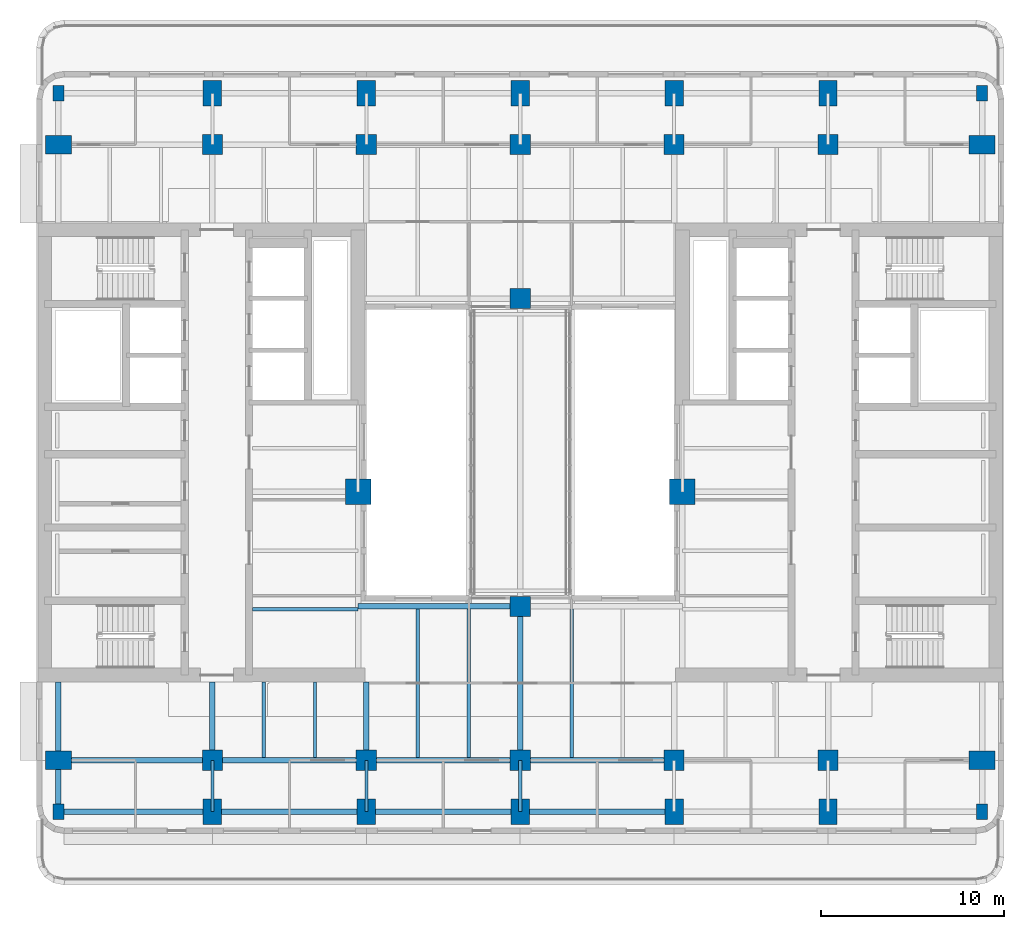
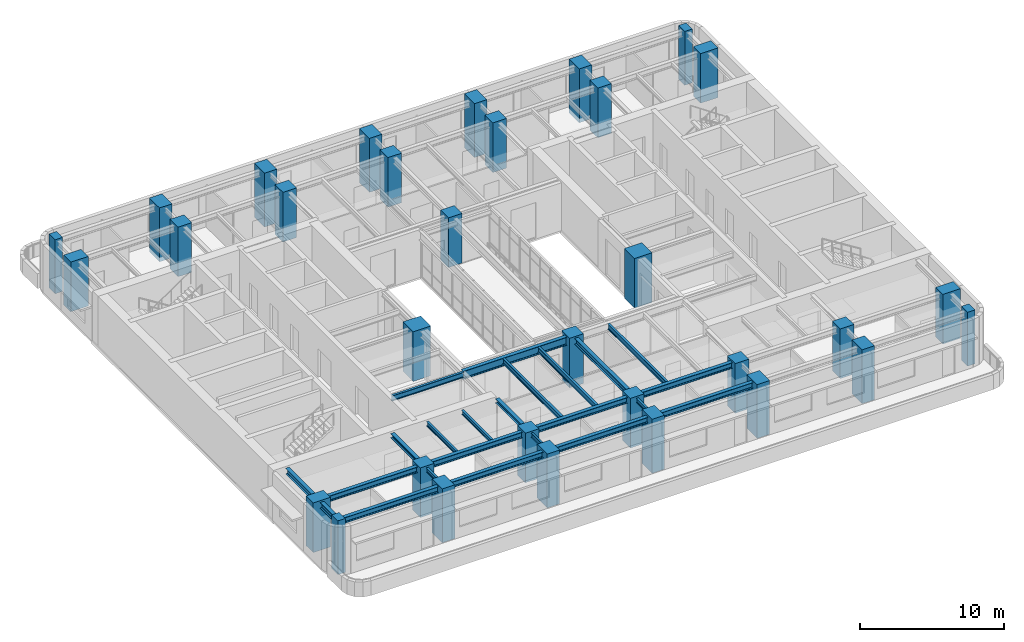
# One storey, part 1 of 15: 32 columns, 23 beams.
"""IFC4 building model written with IfcOpenShell, lengths in metres."""

from ifc_helpers import new_model, si_unit, direction, frame, origin, origin_2d, place, context, subcontext, project, spatial, rectangle, i_section, extrude, material, material_profile, profile_set, type_object, element, save


model = new_model("IFC4")

# Units and contexts
model_context = context("Model", 3, precision=1e-05, world=origin(), true_north=direction((0.0, 1.0)))
body_context = subcontext(model_context, "Body", "Model", "MODEL_VIEW")
ifc_project = project(units=[si_unit("LENGTHUNIT", "METRE"), si_unit("AREAUNIT", "SQUARE_METRE"), si_unit("VOLUMEUNIT", "CUBIC_METRE"), si_unit("PLANEANGLEUNIT", "RADIAN"), si_unit("MASSUNIT", "GRAM", prefix="KILO")], contexts=[model_context])

# Site, building, storey
site_placement = place(None, origin())
site = spatial("IfcSite", under=ifc_project, at=site_placement, CompositionType="ELEMENT")
building_placement = place(site_placement, origin())
building = spatial("IfcBuilding", under=site, at=building_placement, Name="Claustro Exchange Tower", CompositionType="ELEMENT")
storey_placement = place(building_placement, frame((0.0, 0.0, 173.39990234375)))
storey = spatial("IfcBuildingStorey", under=building, at=storey_placement, Name="L39", CompositionType="ELEMENT", Elevation=173.39990234375)

# Columns
ifc_material_1 = material(Name="Concrete HA-70 (C70/85)", Category="concrete")
ifc_material_profile_1 = material_profile(ifc_material_1, rectangle(XDim=1.39990234375, YDim=1.39990234375, at=origin_2d()), Name="RC 1400x1400")
ifc_profile_set_1 = profile_set([ifc_material_profile_1], Name="Concrete HA-70 (C70/85)")
column_type_1 = type_object("IfcColumnType", Name="C0 RC 1400x1400 HA-70 column", PredefinedType="COLUMN", material=ifc_profile_set_1)
for number, where, z_axis, x_axis, name in (
    (1, (16.35009765625, 23.050048828125, 0.0), (0.0, 0.0, 1.0), (1.0, 0.0, 0.0), "Column C0 2+7950/C+6250 L39"),
    (2, (34.050048828125, 23.050048828125, 0.0), (0.0, 0.0, 1.0), (1.0, 0.0, 0.0), "Column C0 5+450/C+6250 L39"),
):
    element("IfcColumn", number, at=place(storey_placement, frame(where, z_axis=z_axis, x_axis=x_axis)), inside=storey, type_object=column_type_1, Name=name, PredefinedType="COLUMN", context=body_context, shape_type="SweptSolid", body=[
        extrude(rectangle(XDim=1.39990234375, YDim=1.39990234375, at=origin_2d()), origin(), (0.0, 0.0, 1.0), 4.2001953125),
    ])
ifc_material_2 = material(Name="Concrete HA-70 (C70/85)", Category="concrete")
ifc_material_profile_2 = material_profile(ifc_material_2, rectangle(XDim=1.10009765625, YDim=1.10009765625, at=origin_2d()), Name="RC 1100x1100")
ifc_profile_set_2 = profile_set([ifc_material_profile_2], Name="Concrete HA-70 (C70/85)")
column_type_2 = type_object("IfcColumnType", Name="C17 RC 1100x1100 HA-70 column", PredefinedType="COLUMN", material=ifc_profile_set_2)
for number, where, z_axis, x_axis, name in (
    (3, (8.39990234375, 8.39990234375, 0.0), (0.0, 0.0, 1.0), (1.0, 0.0, 0.0), "Column C17 2/B L39"),
    (4, (8.39990234375, 42.0, 0.0), (0.0, 0.0, 1.0), (1.0, 0.0, 0.0), "Column C17 2/F L39"),
    (5, (16.800048828125, 8.39990234375, 0.0), (0.0, 0.0, 1.0), (1.0, 0.0, 0.0), "Column C17 3/B L39"),
    (6, (16.800048828125, 42.0, 0.0), (0.0, 0.0, 1.0), (1.0, 0.0, 0.0), "Column C17 3/F L39"),
    (7, (25.199951171875, 8.39990234375, 0.0), (0.0, 0.0, 1.0), (1.0, 0.0, 0.0), "Column C17 4/B L39"),
    (8, (25.199951171875, 42.0, 0.0), (0.0, 0.0, 1.0), (1.0, 0.0, 0.0), "Column C17 4/F L39"),
    (9, (25.199951171875, 16.800048828125, 0.0), (0.0, 0.0, 1.0), (1.0, 0.0, 0.0), "Column C17 4/C L39"),
    (10, (25.199951171875, 33.60009765625, 0.0), (0.0, 0.0, 1.0), (1.0, 0.0, 0.0), "Column C17 4/E L39"),
    (11, (33.60009765625, 8.39990234375, 0.0), (0.0, 0.0, 1.0), (1.0, 0.0, 0.0), "Column C17 5/B L39"),
    (12, (33.60009765625, 42.0, 0.0), (0.0, 0.0, 1.0), (1.0, 0.0, 0.0), "Column C17 5/F L39"),
    (13, (42.0, 8.39990234375, 0.0), (0.0, 0.0, 1.0), (1.0, 0.0, 0.0), "Column C17 6/B L39"),
    (14, (42.0, 42.0, 0.0), (0.0, 0.0, 1.0), (1.0, 0.0, 0.0), "Column C17 6/F L39"),
):
    element("IfcColumn", number, at=place(storey_placement, frame(where, z_axis=z_axis, x_axis=x_axis)), inside=storey, type_object=column_type_2, Name=name, PredefinedType="COLUMN", context=body_context, shape_type="SweptSolid", body=[
        extrude(rectangle(XDim=1.10009765625, YDim=1.10009765625, at=origin_2d()), origin(), (0.0, 0.0, 1.0), 4.2001953125),
    ])
ifc_material_3 = material(Name="Concrete HA-70 (C70/85)", Category="concrete")
ifc_material_profile_3 = material_profile(ifc_material_3, rectangle(XDim=1.0, YDim=1.39990234375, at=origin_2d()), Name="RC 1000x1400")
ifc_profile_set_3 = profile_set([ifc_material_profile_3], Name="Concrete HA-70 (C70/85)")
column_type_3 = type_object("IfcColumnType", Name="C22 RC 1000x1400 HA-70 perimeter column", PredefinedType="COLUMN", material=ifc_profile_set_3)
for number, where, z_axis, x_axis, name in (
    (15, (0.0, 8.39990234375, 0.0), (0.0, 0.0, 1.0), (0.0, 1.0, 0.0), "Column C22 1/B L39"),
    (16, (0.0, 42.0, 0.0), (0.0, 0.0, 1.0), (0.0, 1.0, 0.0), "Column C22 1/F L39"),
):
    element("IfcColumn", number, at=place(storey_placement, frame(where, z_axis=z_axis, x_axis=x_axis)), inside=storey, type_object=column_type_3, Name=name, PredefinedType="COLUMN", context=body_context, shape_type="SweptSolid", body=[
        extrude(rectangle(XDim=1.0, YDim=1.39990234375, at=origin_2d()), origin(), (0.0, 0.0, 1.0), 4.2001953125),
    ])
for number, where, z_axis, x_axis, name in (
    (17, (8.39990234375, 5.60009765625, -0.35986328125), (0.0, 0.0, 1.0), (1.0, 0.0, 0.0), "Column C22 2/A+5600 L39"),
    (18, (8.39990234375, 44.800048828125, -0.35986328125), (0.0, 0.0, 1.0), (1.0, 0.0, 0.0), "Column C22 2/F+2800 L39"),
    (19, (16.800048828125, 5.60009765625, -0.35986328125), (0.0, 0.0, 1.0), (1.0, 0.0, 0.0), "Column C22 3/A+5600 L39"),
    (20, (16.800048828125, 44.800048828125, -0.35986328125), (0.0, 0.0, 1.0), (1.0, 0.0, 0.0), "Column C22 3/F+2800 L39"),
    (21, (25.199951171875, 5.60009765625, -0.35986328125), (0.0, 0.0, 1.0), (1.0, 0.0, 0.0), "Column C22 4/A+5600 L39"),
    (22, (25.199951171875, 44.800048828125, -0.35986328125), (0.0, 0.0, 1.0), (1.0, 0.0, 0.0), "Column C22 4/F+2800 L39"),
    (23, (33.60009765625, 5.60009765625, -0.35986328125), (0.0, 0.0, 1.0), (1.0, 0.0, 0.0), "Column C22 5/A+5600 L39"),
    (24, (33.60009765625, 44.800048828125, -0.35986328125), (0.0, 0.0, 1.0), (1.0, 0.0, 0.0), "Column C22 5/F+2800 L39"),
    (25, (42.0, 5.60009765625, -0.35986328125), (0.0, 0.0, 1.0), (1.0, 0.0, 0.0), "Column C22 6/A+5600 L39"),
    (26, (42.0, 44.800048828125, -0.35986328125), (0.0, 0.0, 1.0), (1.0, 0.0, 0.0), "Column C22 6/F+2800 L39"),
):
    element("IfcColumn", number, at=place(storey_placement, frame(where, z_axis=z_axis, x_axis=x_axis)), inside=storey, type_object=column_type_3, Name=name, PredefinedType="COLUMN", context=body_context, shape_type="SweptSolid", body=[
        extrude(rectangle(XDim=1.0, YDim=1.39990234375, at=origin_2d()), origin(), (0.0, 0.0, 1.0), 4.56005859375),
    ])
for number, where, z_axis, x_axis, name in (
    (27, (50.39990234375, 8.39990234375, 0.0), (0.0, 0.0, 1.0), (0.0, 1.0, 0.0), "Column C22 7/B L39"),
    (28, (50.39990234375, 42.0, 0.0), (0.0, 0.0, 1.0), (0.0, 1.0, 0.0), "Column C22 7/F L39"),
):
    element("IfcColumn", number, at=place(storey_placement, frame(where, z_axis=z_axis, x_axis=x_axis)), inside=storey, type_object=column_type_3, Name=name, PredefinedType="COLUMN", context=body_context, shape_type="SweptSolid", body=[
        extrude(rectangle(XDim=1.0, YDim=1.39990234375, at=origin_2d()), origin(), (0.0, 0.0, 1.0), 4.2001953125),
    ])
ifc_material_4 = material(Name="Concrete HA-50 (C50/60)", Category="concrete")
ifc_material_profile_4 = material_profile(ifc_material_4, rectangle(XDim=0.60009765625, YDim=0.85009765625, at=origin_2d()), Name="RC 600x850")
ifc_profile_set_4 = profile_set([ifc_material_profile_4], Name="Concrete HA-50 (C50/60)")
column_type_4 = type_object("IfcColumnType", Name="C25 RC 600x850 HA-50 corner column", PredefinedType="COLUMN", material=ifc_profile_set_4)
for number, where, z_axis, x_axis, name in (
    (29, (0.0, 5.60009765625, -0.35986328125), (0.0, 0.0, 1.0), (1.0, 0.0, 0.0), "Column C25 1/A+5600 L39"),
    (30, (0.0, 44.800048828125, -0.35986328125), (0.0, 0.0, 1.0), (1.0, 0.0, 0.0), "Column C25 1/F+2800 L39"),
    (31, (50.39990234375, 5.60009765625, -0.35986328125), (0.0, 0.0, 1.0), (1.0, 0.0, 0.0), "Column C25 7/A+5600 L39"),
    (32, (50.39990234375, 44.800048828125, -0.35986328125), (0.0, 0.0, 1.0), (1.0, 0.0, 0.0), "Column C25 7/F+2800 L39"),
):
    element("IfcColumn", number, at=place(storey_placement, frame(where, z_axis=z_axis, x_axis=x_axis)), inside=storey, type_object=column_type_4, Name=name, PredefinedType="COLUMN", context=body_context, shape_type="SweptSolid", body=[
        extrude(rectangle(XDim=0.60009765625, YDim=0.85009765625, at=origin_2d()), origin(), (0.0, 0.0, 1.0), 4.56005859375),
    ])

# Beams
ifc_material_5 = material(Name="Steel S355", Category="steel")
ifc_material_profile_5 = material_profile(ifc_material_5, i_section(OverallWidth=0.300048828125, OverallDepth=0.68994140625, WebThickness=0.014404296875, FlangeThickness=0.027099609375, FilletRadius=0.027099609375, at=origin_2d()), Name="HE 700 A")
ifc_profile_set_5 = profile_set([ifc_material_profile_5], Name="Steel S355")
beam_type_1 = type_object("IfcBeamType", Name="B13 HE 700 A light well edge girder", PredefinedType="BEAM", material=ifc_profile_set_5)
beam_1_placement = place(storey_placement, frame((16.35009765625, 16.800048828125, 3.705078125), z_axis=(1.0, 0.0, 0.0), x_axis=(0.0, 1.0, 0.0)))
element("IfcBeam", 33, at=beam_1_placement, inside=storey, type_object=beam_type_1, Name="Beam B13 L40", PredefinedType="BEAM", context=body_context, shape_type="SweptSolid", body=[
    extrude(i_section(OverallWidth=0.300048828125, OverallDepth=0.68994140625, WebThickness=0.014404296875, FlangeThickness=0.027099609375, FilletRadius=0.027099609375, at=origin_2d()), origin(), (0.0, 0.0, 1.0), 8.849853515625),
])
ifc_material_6 = material(Name="Steel S355", Category="steel")
ifc_material_profile_6 = material_profile(ifc_material_6, i_section(OverallWidth=0.169921875, OverallDepth=0.360107421875, WebThickness=0.008056640625, FlangeThickness=0.0126953125, FilletRadius=0.01806640625, at=origin_2d()), Name="IPE 360")
ifc_profile_set_6 = profile_set([ifc_material_profile_6], Name="Steel S355")
beam_type_2 = type_object("IfcBeamType", Name="B16 IPE 360 short-span beam", PredefinedType="BEAM", material=ifc_profile_set_6)
for number, where, z_axis, x_axis, name in (
    (34, (8.39990234375, 5.60009765625, 3.8701171875), (0.0, 1.0, 0.0), (-1.0, 0.0, 0.0), "Beam B16 L40"),
    (35, (16.800048828125, 5.60009765625, 3.8701171875), (0.0, 1.0, 0.0), (-1.0, 0.0, 0.0), "Beam B16 L40"),
    (36, (25.199951171875, 5.60009765625, 3.8701171875), (0.0, 1.0, 0.0), (-1.0, 0.0, 0.0), "Beam B16 L40"),
):
    element("IfcBeam", number, at=place(storey_placement, frame(where, z_axis=z_axis, x_axis=x_axis)), inside=storey, type_object=beam_type_2, Name=name, PredefinedType="BEAM", context=body_context, shape_type="SweptSolid", body=[
        extrude(i_section(OverallWidth=0.169921875, OverallDepth=0.360107421875, WebThickness=0.008056640625, FlangeThickness=0.0126953125, FilletRadius=0.01806640625, at=origin_2d()), origin(), (0.0, 0.0, 1.0), 2.7998046875),
    ])
for number, where, z_axis, x_axis, name in (
    (37, (11.199951171875, 8.550048828125, 3.8701171875), (0.0, 1.0, 0.0), (-1.0, 0.0, 0.0), "Beam B16 L40"),
    (38, (14.0, 8.550048828125, 3.8701171875), (0.0, 1.0, 0.0), (-1.0, 0.0, 0.0), "Beam B16 L40"),
):
    element("IfcBeam", number, at=place(storey_placement, frame(where, z_axis=z_axis, x_axis=x_axis)), inside=storey, type_object=beam_type_2, Name=name, PredefinedType="BEAM", context=body_context, shape_type="SweptSolid", body=[
        extrude(i_section(OverallWidth=0.169921875, OverallDepth=0.360107421875, WebThickness=0.008056640625, FlangeThickness=0.0126953125, FilletRadius=0.01806640625, at=origin_2d()), origin(), (0.0, 0.0, 1.0), 4.125),
    ])
ifc_material_7 = material(Name="Steel S355", Category="steel")
ifc_material_profile_7 = material_profile(ifc_material_7, i_section(OverallWidth=0.300048828125, OverallDepth=0.360107421875, WebThickness=0.012451171875, FlangeThickness=0.0224609375, FilletRadius=0.027099609375, at=origin_2d()), Name="HE 360 B")
ifc_profile_set_7 = profile_set([ifc_material_profile_7], Name="Steel S355")
beam_type_3 = type_object("IfcBeamType", Name="B29 HE 360 B column to core link beam", PredefinedType="BEAM", material=ifc_profile_set_7)
for number, where, z_axis, x_axis, name in (
    (39, (8.39990234375, 8.39990234375, 3.8701171875), (0.0, 1.0, 0.0), (-1.0, 0.0, 0.0), "Beam B29 L40"),
    (40, (16.800048828125, 8.39990234375, 3.8701171875), (0.0, 1.0, 0.0), (-1.0, 0.0, 0.0), "Beam B29 L40"),
):
    element("IfcBeam", number, at=place(storey_placement, frame(where, z_axis=z_axis, x_axis=x_axis)), inside=storey, type_object=beam_type_3, Name=name, PredefinedType="BEAM", context=body_context, shape_type="SweptSolid", body=[
        extrude(i_section(OverallWidth=0.300048828125, OverallDepth=0.360107421875, WebThickness=0.012451171875, FlangeThickness=0.0224609375, FilletRadius=0.027099609375, at=origin_2d()), origin(), (0.0, 0.0, 1.0), 4.275146484375),
    ])
ifc_material_8 = material(Name="Steel S355", Category="steel")
ifc_material_profile_8 = material_profile(ifc_material_8, i_section(OverallWidth=0.300048828125, OverallDepth=0.5, WebThickness=0.014404296875, FlangeThickness=0.028076171875, FilletRadius=0.027099609375, at=origin_2d()), Name="HE 500 B")
ifc_profile_set_8 = profile_set([ifc_material_profile_8], Name="Steel S355")
beam_type_4 = type_object("IfcBeamType", Name="B7 HE 500 B floor girder", PredefinedType="BEAM", material=ifc_profile_set_8)
beam_2_placement = place(storey_placement, frame((25.199951171875, 8.39990234375, 3.800048828125), z_axis=(0.0, 1.0, 0.0), x_axis=(-1.0, 0.0, 0.0)))
element("IfcBeam", 41, at=beam_2_placement, inside=storey, type_object=beam_type_4, Name="Beam B7 L40", PredefinedType="BEAM", context=body_context, shape_type="SweptSolid", body=[
    extrude(i_section(OverallWidth=0.300048828125, OverallDepth=0.5, WebThickness=0.014404296875, FlangeThickness=0.028076171875, FilletRadius=0.027099609375, at=origin_2d()), origin(), (0.0, 0.0, 1.0), 8.400146484375),
])
beam_3_placement = place(storey_placement, frame((0.0, 8.39990234375, 3.800048828125), z_axis=(1.0, 0.0, 0.0), x_axis=(0.0, 1.0, 0.0)))
element("IfcBeam", 42, at=beam_3_placement, inside=storey, type_object=beam_type_4, Name="Beam B7 L40", PredefinedType="BEAM", context=body_context, shape_type="SweptSolid", body=[
    extrude(i_section(OverallWidth=0.300048828125, OverallDepth=0.5, WebThickness=0.014404296875, FlangeThickness=0.028076171875, FilletRadius=0.027099609375, at=origin_2d()), origin(), (0.0, 0.0, 1.0), 8.39990234375),
])
beam_4_placement = place(storey_placement, frame((8.39990234375, 8.39990234375, 3.800048828125), z_axis=(1.0, 0.0, 0.0), x_axis=(0.0, 1.0, 0.0)))
element("IfcBeam", 43, at=beam_4_placement, inside=storey, type_object=beam_type_4, Name="Beam B7 L40", PredefinedType="BEAM", context=body_context, shape_type="SweptSolid", body=[
    extrude(i_section(OverallWidth=0.300048828125, OverallDepth=0.5, WebThickness=0.014404296875, FlangeThickness=0.028076171875, FilletRadius=0.027099609375, at=origin_2d()), origin(), (0.0, 0.0, 1.0), 8.400146484375),
])
beam_5_placement = place(storey_placement, frame((16.800048828125, 8.39990234375, 3.800048828125), z_axis=(1.0, 0.0, 0.0), x_axis=(0.0, 1.0, 0.0)))
element("IfcBeam", 44, at=beam_5_placement, inside=storey, type_object=beam_type_4, Name="Beam B7 L40", PredefinedType="BEAM", context=body_context, shape_type="SweptSolid", body=[
    extrude(i_section(OverallWidth=0.300048828125, OverallDepth=0.5, WebThickness=0.014404296875, FlangeThickness=0.028076171875, FilletRadius=0.027099609375, at=origin_2d()), origin(), (0.0, 0.0, 1.0), 8.39990234375),
])
beam_6_placement = place(storey_placement, frame((25.199951171875, 8.39990234375, 3.800048828125), z_axis=(1.0, 0.0, 0.0), x_axis=(0.0, 1.0, 0.0)))
element("IfcBeam", 45, at=beam_6_placement, inside=storey, type_object=beam_type_4, Name="Beam B7 L40", PredefinedType="BEAM", context=body_context, shape_type="SweptSolid", body=[
    extrude(i_section(OverallWidth=0.300048828125, OverallDepth=0.5, WebThickness=0.014404296875, FlangeThickness=0.028076171875, FilletRadius=0.027099609375, at=origin_2d()), origin(), (0.0, 0.0, 1.0), 8.400146484375),
])
ifc_material_9 = material(Name="Steel S355", Category="steel")
ifc_material_profile_9 = material_profile(ifc_material_9, i_section(OverallWidth=0.18994140625, OverallDepth=0.449951171875, WebThickness=0.009521484375, FlangeThickness=0.0146484375, FilletRadius=0.02099609375, at=origin_2d()), Name="IPE 450")
ifc_profile_set_9 = profile_set([ifc_material_profile_9], Name="Steel S355")
beam_type_5 = type_object("IfcBeamType", Name="B8 IPE 450 secondary beam", PredefinedType="BEAM", material=ifc_profile_set_9)
for number, where, z_axis, x_axis, name in (
    (46, (19.60009765625, 8.550048828125, 3.8251953125), (0.0, 1.0, 0.0), (-1.0, 0.0, 0.0), "Beam B8 L40"),
    (47, (22.39990234375, 8.550048828125, 3.8251953125), (0.0, 1.0, 0.0), (-1.0, 0.0, 0.0), "Beam B8 L40"),
    (48, (28.0, 8.550048828125, 3.8251953125), (0.0, 1.0, 0.0), (-1.0, 0.0, 0.0), "Beam B8 L40"),
):
    element("IfcBeam", number, at=place(storey_placement, frame(where, z_axis=z_axis, x_axis=x_axis)), inside=storey, type_object=beam_type_5, Name=name, PredefinedType="BEAM", context=body_context, shape_type="SweptSolid", body=[
        extrude(i_section(OverallWidth=0.18994140625, OverallDepth=0.449951171875, WebThickness=0.009521484375, FlangeThickness=0.0146484375, FilletRadius=0.02099609375, at=origin_2d()), origin(), (0.0, 0.0, 1.0), 8.099853515625),
    ])
beam_7_placement = place(storey_placement, frame((10.60009765625, 16.63330078125, 3.8251953125), z_axis=(1.0, 0.0, 0.0), x_axis=(0.0, 1.0, 0.0)))
element("IfcBeam", 49, at=beam_7_placement, inside=storey, type_object=beam_type_5, Name="Beam B8 core step framing L40", PredefinedType="BEAM", context=body_context, shape_type="SweptSolid", body=[
    extrude(i_section(OverallWidth=0.18994140625, OverallDepth=0.449951171875, WebThickness=0.009521484375, FlangeThickness=0.0146484375, FilletRadius=0.02099609375, at=origin_2d()), origin(), (0.0, 0.0, 1.0), 5.75),
])
ifc_material_10 = material(Name="Steel S355", Category="steel")
ifc_material_profile_10 = material_profile(ifc_material_10, i_section(OverallWidth=0.300048828125, OverallDepth=0.489990234375, WebThickness=0.011962890625, FlangeThickness=0.02294921875, FilletRadius=0.027099609375, at=origin_2d()), Name="HE 500 A")
ifc_profile_set_10 = profile_set([ifc_material_profile_10], Name="Steel S355")
beam_type_6 = type_object("IfcBeamType", Name="B9 HE 500 A spandrel edge girder", PredefinedType="SPANDREL", material=ifc_profile_set_10)
beam_8_placement = place(storey_placement, frame((0.0, 5.60009765625, 3.80517578125), z_axis=(0.0, 1.0, 0.0), x_axis=(-1.0, 0.0, 0.0)))
element("IfcBeam", 50, at=beam_8_placement, inside=storey, type_object=beam_type_6, Name="Beam B9 L40", PredefinedType="SPANDREL", context=body_context, shape_type="SweptSolid", body=[
    extrude(i_section(OverallWidth=0.300048828125, OverallDepth=0.489990234375, WebThickness=0.011962890625, FlangeThickness=0.02294921875, FilletRadius=0.027099609375, at=origin_2d()), origin(), (0.0, 0.0, 1.0), 2.7998046875),
])
beam_9_placement = place(storey_placement, frame((0.0, 8.39990234375, 3.80517578125), z_axis=(0.0, 1.0, 0.0), x_axis=(-1.0, 0.0, 0.0)))
element("IfcBeam", 51, at=beam_9_placement, inside=storey, type_object=beam_type_6, Name="Beam B9 L40", PredefinedType="SPANDREL", context=body_context, shape_type="SweptSolid", body=[
    extrude(i_section(OverallWidth=0.300048828125, OverallDepth=0.489990234375, WebThickness=0.011962890625, FlangeThickness=0.02294921875, FilletRadius=0.027099609375, at=origin_2d()), origin(), (0.0, 0.0, 1.0), 4.275146484375),
])
beam_10_placement = place(storey_placement, frame((0.0, 5.60009765625, 3.80517578125), z_axis=(1.0, 0.0, 0.0), x_axis=(0.0, 1.0, 0.0)))
element("IfcBeam", 52, at=beam_10_placement, inside=storey, type_object=beam_type_6, Name="Beam B9 L40", PredefinedType="SPANDREL", context=body_context, shape_type="SweptSolid", body=[
    extrude(i_section(OverallWidth=0.300048828125, OverallDepth=0.489990234375, WebThickness=0.011962890625, FlangeThickness=0.02294921875, FilletRadius=0.027099609375, at=origin_2d()), origin(), (0.0, 0.0, 1.0), 8.39990234375),
])
beam_11_placement = place(storey_placement, frame((8.39990234375, 5.60009765625, 3.80517578125), z_axis=(1.0, 0.0, 0.0), x_axis=(0.0, 1.0, 0.0)))
element("IfcBeam", 53, at=beam_11_placement, inside=storey, type_object=beam_type_6, Name="Beam B9 L40", PredefinedType="SPANDREL", context=body_context, shape_type="SweptSolid", body=[
    extrude(i_section(OverallWidth=0.300048828125, OverallDepth=0.489990234375, WebThickness=0.011962890625, FlangeThickness=0.02294921875, FilletRadius=0.027099609375, at=origin_2d()), origin(), (0.0, 0.0, 1.0), 8.400146484375),
])
beam_12_placement = place(storey_placement, frame((16.800048828125, 5.60009765625, 3.80517578125), z_axis=(1.0, 0.0, 0.0), x_axis=(0.0, 1.0, 0.0)))
element("IfcBeam", 54, at=beam_12_placement, inside=storey, type_object=beam_type_6, Name="Beam B9 L40", PredefinedType="SPANDREL", context=body_context, shape_type="SweptSolid", body=[
    extrude(i_section(OverallWidth=0.300048828125, OverallDepth=0.489990234375, WebThickness=0.011962890625, FlangeThickness=0.02294921875, FilletRadius=0.027099609375, at=origin_2d()), origin(), (0.0, 0.0, 1.0), 8.39990234375),
])
beam_13_placement = place(storey_placement, frame((25.199951171875, 5.60009765625, 3.80517578125), z_axis=(1.0, 0.0, 0.0), x_axis=(0.0, 1.0, 0.0)))
element("IfcBeam", 55, at=beam_13_placement, inside=storey, type_object=beam_type_6, Name="Beam B9 L40", PredefinedType="SPANDREL", context=body_context, shape_type="SweptSolid", body=[
    extrude(i_section(OverallWidth=0.300048828125, OverallDepth=0.489990234375, WebThickness=0.011962890625, FlangeThickness=0.02294921875, FilletRadius=0.027099609375, at=origin_2d()), origin(), (0.0, 0.0, 1.0), 8.400146484375),
])

save(model, "model.ifc")
